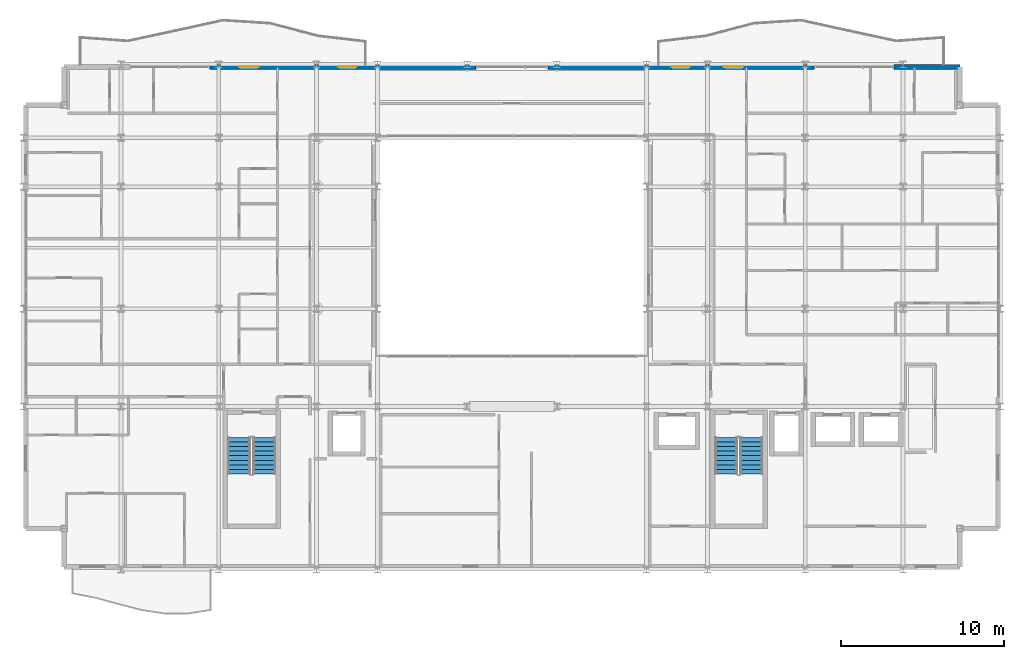
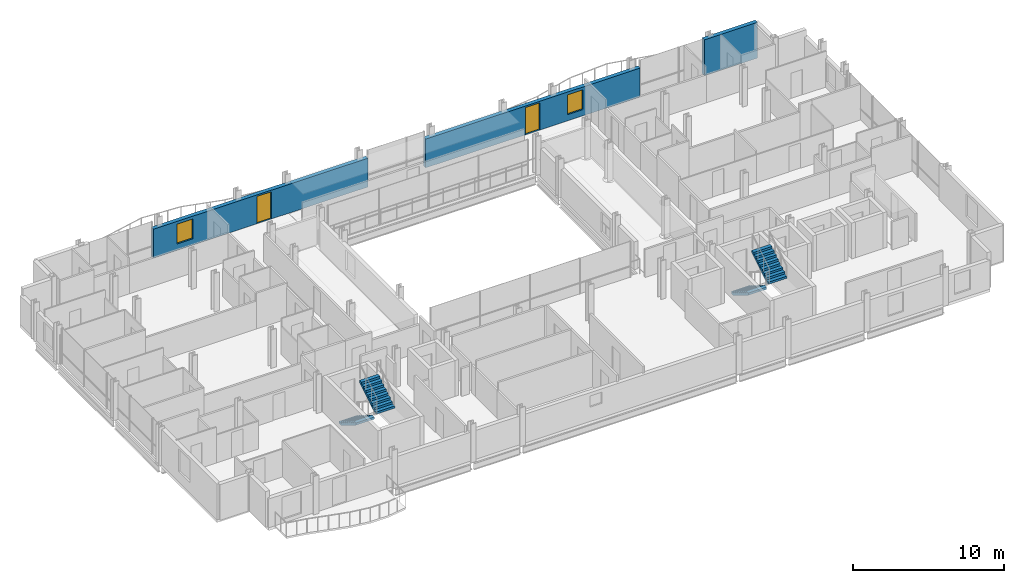
# One storey, part 38 of 41: 4 stair flights, 3 walls, 2 doors, 2 windows, 4 openings, 2 elements without a shape of their own.
"""IFC4 building model written with IfcOpenShell, lengths in metres."""

from ifc_helpers import new_model, si_unit, direction, frame, frame_2d, origin, place, context, subcontext, project, spatial, polyline, rectangle, outline, extrude, material, layer, layer_set, type_object, element, fill, aggregate, save


model = new_model("IFC4")

# Units and contexts
model_context = context("Model", 3, precision=1e-05, world=origin(), true_north=direction((0.0, 1.0)))
body_context = subcontext(model_context, "Body", "Model", "MODEL_VIEW")
ifc_project = project(units=[si_unit("LENGTHUNIT", "METRE"), si_unit("AREAUNIT", "SQUARE_METRE"), si_unit("VOLUMEUNIT", "CUBIC_METRE"), si_unit("PLANEANGLEUNIT", "RADIAN"), si_unit("MASSUNIT", "GRAM", prefix="KILO")], contexts=[model_context])

# Site, building, storey
site_placement = place(None, origin())
site = spatial("IfcSite", under=ifc_project, at=site_placement, CompositionType="ELEMENT")
building_placement = place(site_placement, origin())
building = spatial("IfcBuilding", under=site, at=building_placement, Name="Brevholm Reach", CompositionType="ELEMENT")
storey_placement = place(building_placement, frame((0.0, 0.0, 138.699951171875)))
storey = spatial("IfcBuildingStorey", under=building, at=storey_placement, Name="L41", CompositionType="ELEMENT", Elevation=138.699951171875)

# Wall
ifc_material_1 = material(Name="Concrete C40/50", Category="concrete")
ifc_layer_1 = layer(ifc_material_1, 0.300048828125)
ifc_layer_set_1 = layer_set([ifc_layer_1], Name="Concrete C40/50")
wall_type = type_object("IfcWallType", Name="WAL-EXT-300", PredefinedType="STANDARD", material=ifc_layer_set_1)
wall_1_placement = place(storey_placement, frame((53.449951171875, 30.85009765625, 0.0), z_axis=(0.0, 0.0, 1.0), x_axis=(1.0, 0.0, 0.0)))
element("IfcWall", 1, at=wall_1_placement, inside=storey, type_object=wall_type, Name="L41 Facade Wall WAL-L41-NP-E0", PredefinedType="STANDARD", context=body_context, shape_type="SweptSolid", body=[
    extrude(rectangle(XDim=4.050048828125, YDim=0.300048828125, at=frame_2d((2.02490234375, 0.0))), origin(), (0.0, 0.0, 1.0), 2.880126953125),
])

# Wall, openings, door, window
wall_2_placement = place(storey_placement, frame((11.449951171875, 30.85009765625, 0.0), z_axis=(0.0, 0.0, 1.0), x_axis=(1.0, 0.0, 0.0)))
wall_2 = element("IfcWall", 2, at=wall_2_placement, inside=storey, type_object=wall_type, Name="L41 Facade Wall WAL-L41-NP-WL", PredefinedType="STANDARD", context=body_context, shape_type="SweptSolid", body=[
    extrude(rectangle(XDim=16.35009765625, YDim=0.300048828125, at=frame_2d((8.175048828125, 0.0))), origin(), (0.0, 0.0, 1.0), 2.322021484375),
])
opening_1_placement = place(wall_2_placement, frame((7.89794921875, 0.0, 0.0)))
opening_1 = element("IfcOpeningElement", 3, at=opening_1_placement, cuts=wall_2, Name="Opening BD-01", PredefinedType="OPENING", context=body_context, shape_type="SweptSolid", body=[
    extrude(rectangle(XDim=1.10009765625, YDim=2.199951171875, at=frame_2d((0.550048828125, 1.10009765625))), frame((0.0, 0.159912109375, 0.0), z_axis=(0.0, -1.0, 0.0), x_axis=(1.0, 0.0, 0.0)), (0.0, 0.0, 1.0), 0.320068359375),
])
opening_2_placement = place(wall_2_placement, frame((1.800048828125, 0.0, 0.501953125)))
opening_2 = element("IfcOpeningElement", 4, at=opening_2_placement, cuts=wall_2, Name="Opening WN-08", PredefinedType="OPENING", context=body_context, shape_type="SweptSolid", body=[
    extrude(rectangle(XDim=1.199951171875, YDim=1.60009765625, at=frame_2d((0.60009765625, 0.800048828125))), frame((0.0, 0.159912109375, 0.0), z_axis=(0.0, -1.0, 0.0), x_axis=(1.0, 0.0, 0.0)), (0.0, 0.0, 1.0), 0.320068359375),
])
ifc_material_2 = material(Name="Dark Anodised Aluminium and Triple-Glazed Glass", Category="aluminium")
door_type = type_object("IfcDoorType", Name="DOR-BALC-1100", OperationType="NOTDEFINED", PredefinedType="DOOR", material=ifc_material_2)
door_1_placement = place(opening_1_placement, origin())
door_1 = element("IfcDoor", 5, at=door_1_placement, inside=storey, type_object=door_type, Name="L41 Exterior Door DOR-L41-BL-NW", OperationType="SINGLE_SWING_RIGHT", OverallHeight=2.199951171875, OverallWidth=1.10009765625, PredefinedType="DOOR", context=body_context, shape_type="SweptSolid", body=[
    extrude(rectangle(XDim=1.10009765625, YDim=2.199951171875, at=frame_2d((0.550048828125, 1.10009765625))), frame((0.0, 0.02490234375, 0.0), z_axis=(0.0, -1.0, 0.0), x_axis=(1.0, 0.0, 0.0)), (0.0, 0.0, 1.0), 0.050048828125),
])
fill(opening_1, door_1)
ifc_material_3 = material(Name="Dark Anodised Aluminium and Solar-Control IGU Glass", Category="aluminium")
window_type = type_object("IfcWindowType", Name="WIN-RES-1200", PartitioningType="SINGLE_PANEL", PredefinedType="WINDOW", material=ifc_material_3)
window_1_placement = place(opening_2_placement, origin())
window_1 = element("IfcWindow", 6, at=window_1_placement, inside=storey, type_object=window_type, Name="L41 Window WIN-L41-NP-WL1", OverallHeight=1.60009765625, OverallWidth=1.199951171875, PartitioningType="SINGLE_PANEL", PredefinedType="WINDOW", context=body_context, shape_type="SweptSolid", body=[
    extrude(rectangle(XDim=1.199951171875, YDim=1.60009765625, at=frame_2d((0.60009765625, 0.800048828125))), frame((0.0, 0.030029296875, 0.0), z_axis=(0.0, -1.0, 0.0), x_axis=(1.0, 0.0, 0.0)), (0.0, 0.0, 1.0), 0.06005859375),
])
fill(opening_2, window_1)

wall_3_placement = place(storey_placement, frame((32.199951171875, 30.85009765625, 0.0), z_axis=(0.0, 0.0, 1.0), x_axis=(1.0, 0.0, 0.0)))
wall_3 = element("IfcWall", 7, at=wall_3_placement, inside=storey, type_object=wall_type, Name="L41 Facade Wall WAL-L41-NP-ER", PredefinedType="STANDARD", context=body_context, shape_type="SweptSolid", body=[
    extrude(rectangle(XDim=16.35009765625, YDim=0.300048828125, at=frame_2d((8.175048828125, 0.0))), origin(), (0.0, 0.0, 1.0), 2.322021484375),
])
opening_3_placement = place(wall_3_placement, frame((7.60009765625, 0.0, 0.0)))
opening_3 = element("IfcOpeningElement", 8, at=opening_3_placement, cuts=wall_3, Name="Opening BD-01", PredefinedType="OPENING", context=body_context, shape_type="SweptSolid", body=[
    extrude(rectangle(XDim=1.10009765625, YDim=2.199951171875, at=frame_2d((0.550048828125, 1.10009765625))), frame((0.0, 0.159912109375, 0.0), z_axis=(0.0, -1.0, 0.0), x_axis=(1.0, 0.0, 0.0)), (0.0, 0.0, 1.0), 0.320068359375),
])
opening_4_placement = place(wall_3_placement, frame((10.800048828125, 0.0, 0.501953125)))
opening_4 = element("IfcOpeningElement", 9, at=opening_4_placement, cuts=wall_3, Name="Opening WN-08", PredefinedType="OPENING", context=body_context, shape_type="SweptSolid", body=[
    extrude(rectangle(XDim=1.199951171875, YDim=1.60009765625, at=frame_2d((0.60009765625, 0.800048828125))), frame((0.0, 0.159912109375, 0.0), z_axis=(0.0, -1.0, 0.0), x_axis=(1.0, 0.0, 0.0)), (0.0, 0.0, 1.0), 0.320068359375),
])
door_2_placement = place(opening_3_placement, origin())
door_2 = element("IfcDoor", 10, at=door_2_placement, inside=storey, type_object=door_type, Name="L41 Exterior Door DOR-L41-BL-NE", OperationType="SINGLE_SWING_LEFT", OverallHeight=2.199951171875, OverallWidth=1.10009765625, PredefinedType="DOOR", context=body_context, shape_type="SweptSolid", body=[
    extrude(rectangle(XDim=1.10009765625, YDim=2.199951171875, at=frame_2d((0.550048828125, 1.10009765625))), frame((0.0, 0.02490234375, 0.0), z_axis=(0.0, -1.0, 0.0), x_axis=(1.0, 0.0, 0.0)), (0.0, 0.0, 1.0), 0.050048828125),
])
fill(opening_3, door_2)
window_2_placement = place(opening_4_placement, origin())
window_2 = element("IfcWindow", 11, at=window_2_placement, inside=storey, type_object=window_type, Name="L41 Window WIN-L41-NP-ER1", OverallHeight=1.60009765625, OverallWidth=1.199951171875, PartitioningType="SINGLE_PANEL", PredefinedType="WINDOW", context=body_context, shape_type="SweptSolid", body=[
    extrude(rectangle(XDim=1.199951171875, YDim=1.60009765625, at=frame_2d((0.60009765625, 0.800048828125))), frame((0.0, 0.030029296875, 0.0), z_axis=(0.0, -1.0, 0.0), x_axis=(1.0, 0.0, 0.0)), (0.0, 0.0, 1.0), 0.06005859375),
])
fill(opening_4, window_2)

# Stair, stair flights
ifc_material_4 = material(Name="Precast Concrete C40/50", Category="concrete")
stair_type = type_object("IfcStairType", Name="STR-ESC-1400", PredefinedType="DOUBLE_RETURN_STAIR", material=ifc_material_4)
stair_1_placement = place(storey_placement, origin())
stair_1 = element("IfcStair", 12, at=stair_1_placement, inside=storey, type_object=stair_type, Name="L41 ST-1", PredefinedType="DOUBLE_RETURN_STAIR")
ifc_material_5 = material(Name="Precast Concrete C40/50", Category="concrete")
ifc_layer_2 = layer(ifc_material_5, 0.18505859375)
ifc_layer_set_2 = layer_set([ifc_layer_2], Name="Precast Concrete C40/50")
stair_flight_type = type_object("IfcStairFlightType", Name="STF-PRC-185", PredefinedType="STRAIGHT", material=ifc_layer_set_2)
stair_flight_1_placement = place(storey_placement, frame((13.25, 8.10009765625, 0.0), z_axis=(0.0, 0.0, 1.0), x_axis=(0.0, -1.0, 0.0)))
stair_flight_1 = element("IfcStairFlight", 13, at=stair_flight_1_placement, type_object=stair_flight_type, Name="ST-1 flight 1", NumberOfRisers=9, NumberOfTreads=8, PredefinedType="STRAIGHT", RiserHeight=0.172222222, TreadLength=0.28, context=body_context, shape_type="SweptSolid", body=[
    extrude(outline(polyline([(0.0, 0.0), (0.0, 0.172119140625), (0.280029296875, 0.172119140625), (0.280029296875, 0.344482421875), (0.56005859375, 0.344482421875), (0.56005859375, 0.5166015625), (0.840087890625, 0.5166015625), (0.840087890625, 0.68896484375), (1.1201171875, 0.68896484375), (1.1201171875, 0.861083984375), (1.39990234375, 0.861083984375), (1.39990234375, 1.033447265625), (1.679931640625, 1.033447265625), (1.679931640625, 1.20556640625), (1.9599609375, 1.20556640625), (1.9599609375, 1.377685546875), (2.239990234375, 1.377685546875), (2.239990234375, 1.550048828125), (2.239990234375, 1.201904296875), (0.2861328125, 0.0), (0.0, 0.0)])), frame((0.0, 0.699951171875, 0.0), z_axis=(0.0, -1.0, 0.0), x_axis=(1.0, 0.0, 0.0)), (0.0, 0.0, 1.0), 1.39990234375),
])
stair_flight_2_placement = place(storey_placement, frame((14.800048828125, 5.860107421875, 1.550048828125), z_axis=(0.0, 0.0, 1.0), x_axis=(0.0, 1.0, 0.0)))
stair_flight_2 = element("IfcStairFlight", 14, at=stair_flight_2_placement, type_object=stair_flight_type, Name="ST-1 flight 2", NumberOfRisers=9, NumberOfTreads=8, PredefinedType="STRAIGHT", RiserHeight=0.172222222, TreadLength=0.28, context=body_context, shape_type="SweptSolid", body=[
    extrude(outline(polyline([(0.0, 0.0), (0.0, 0.172119140625), (0.280029296875, 0.172119140625), (0.280029296875, 0.344482421875), (0.56005859375, 0.344482421875), (0.56005859375, 0.5166015625), (0.840087890625, 0.5166015625), (0.840087890625, 0.68896484375), (1.1201171875, 0.68896484375), (1.1201171875, 0.861083984375), (1.39990234375, 0.861083984375), (1.39990234375, 1.033447265625), (1.679931640625, 1.033447265625), (1.679931640625, 1.20556640625), (1.9599609375, 1.20556640625), (1.9599609375, 1.377685546875), (2.239990234375, 1.377685546875), (2.239990234375, 1.550048828125), (2.239990234375, 1.201904296875), (0.2861328125, 0.0), (0.0, 0.0)])), frame((0.0, 0.699951171875, 0.0), z_axis=(0.0, -1.0, 0.0), x_axis=(1.0, 0.0, 0.0)), (0.0, 0.0, 1.0), 1.39990234375),
])
aggregate(stair_1, [stair_flight_1, stair_flight_2])

stair_2_placement = place(storey_placement, origin())
stair_2 = element("IfcStair", 15, at=stair_2_placement, inside=storey, type_object=stair_type, Name="L41 ST-2", PredefinedType="DOUBLE_RETURN_STAIR")
stair_flight_3_placement = place(storey_placement, frame((43.14990234375, 8.10009765625, 0.0), z_axis=(0.0, 0.0, 1.0), x_axis=(0.0, -1.0, 0.0)))
stair_flight_3 = element("IfcStairFlight", 16, at=stair_flight_3_placement, type_object=stair_flight_type, Name="ST-2 flight 1", NumberOfRisers=9, NumberOfTreads=8, PredefinedType="STRAIGHT", RiserHeight=0.172222222, TreadLength=0.28, context=body_context, shape_type="SweptSolid", body=[
    extrude(outline(polyline([(0.0, 0.0), (0.0, 0.172119140625), (0.280029296875, 0.172119140625), (0.280029296875, 0.344482421875), (0.56005859375, 0.344482421875), (0.56005859375, 0.5166015625), (0.840087890625, 0.5166015625), (0.840087890625, 0.68896484375), (1.1201171875, 0.68896484375), (1.1201171875, 0.861083984375), (1.39990234375, 0.861083984375), (1.39990234375, 1.033447265625), (1.679931640625, 1.033447265625), (1.679931640625, 1.20556640625), (1.9599609375, 1.20556640625), (1.9599609375, 1.377685546875), (2.239990234375, 1.377685546875), (2.239990234375, 1.550048828125), (2.239990234375, 1.201904296875), (0.2861328125, 0.0), (0.0, 0.0)])), frame((0.0, 0.699951171875, 0.0), z_axis=(0.0, -1.0, 0.0), x_axis=(1.0, 0.0, 0.0)), (0.0, 0.0, 1.0), 1.39990234375),
])
stair_flight_4_placement = place(storey_placement, frame((44.699951171875, 5.860107421875, 1.550048828125), z_axis=(0.0, 0.0, 1.0), x_axis=(0.0, 1.0, 0.0)))
stair_flight_4 = element("IfcStairFlight", 17, at=stair_flight_4_placement, type_object=stair_flight_type, Name="ST-2 flight 2", NumberOfRisers=9, NumberOfTreads=8, PredefinedType="STRAIGHT", RiserHeight=0.172222222, TreadLength=0.28, context=body_context, shape_type="SweptSolid", body=[
    extrude(outline(polyline([(0.0, 0.0), (0.0, 0.172119140625), (0.280029296875, 0.172119140625), (0.280029296875, 0.344482421875), (0.56005859375, 0.344482421875), (0.56005859375, 0.5166015625), (0.840087890625, 0.5166015625), (0.840087890625, 0.68896484375), (1.1201171875, 0.68896484375), (1.1201171875, 0.861083984375), (1.39990234375, 0.861083984375), (1.39990234375, 1.033447265625), (1.679931640625, 1.033447265625), (1.679931640625, 1.20556640625), (1.9599609375, 1.20556640625), (1.9599609375, 1.377685546875), (2.239990234375, 1.377685546875), (2.239990234375, 1.550048828125), (2.239990234375, 1.201904296875), (0.2861328125, 0.0), (0.0, 0.0)])), frame((0.0, 0.699951171875, 0.0), z_axis=(0.0, -1.0, 0.0), x_axis=(1.0, 0.0, 0.0)), (0.0, 0.0, 1.0), 1.39990234375),
])
aggregate(stair_2, [stair_flight_3, stair_flight_4])

save(model, "model.ifc")
